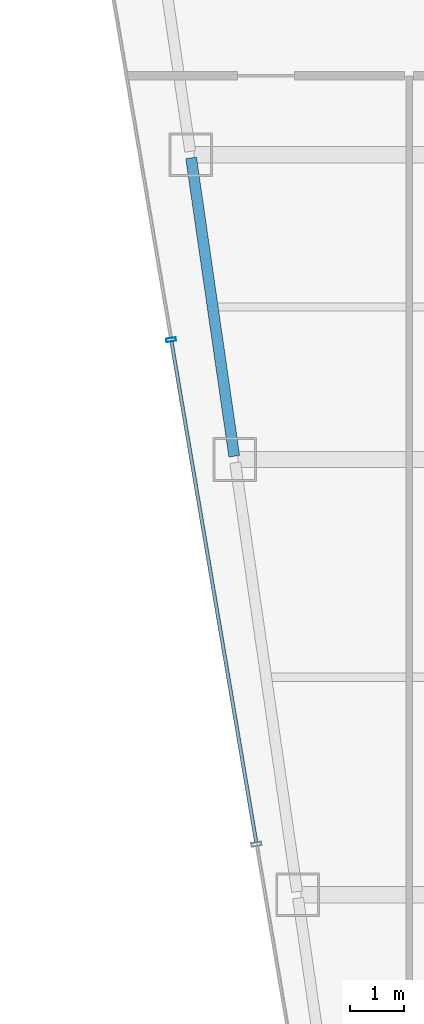
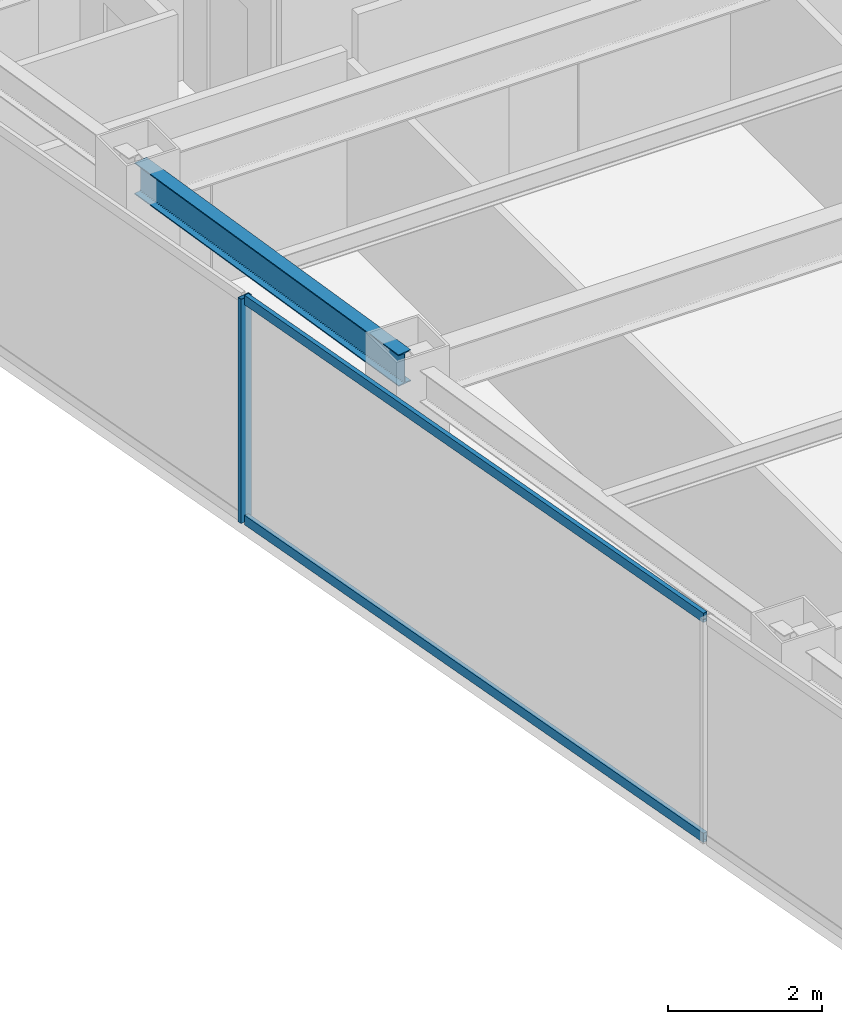
# One storey, part 9 of 36: 3 members, 1 beam, 1 element without a shape of its own.
"""IFC4 building model written with IfcOpenShell, lengths in metres."""

from ifc_helpers import new_model, si_unit, direction, frame, origin, origin_2d, place, context, subcontext, project, spatial, hollow_rectangle, i_section, extrude, material, material_profile, profile_set, type_object, element, aggregate, save


model = new_model("IFC4")

# Units and contexts
model_context = context("Model", 3, precision=1e-05, world=origin(), true_north=direction((0.0, 1.0)))
body_context = subcontext(model_context, "Body", "Model", "MODEL_VIEW")
ifc_project = project(units=[si_unit("LENGTHUNIT", "METRE"), si_unit("AREAUNIT", "SQUARE_METRE"), si_unit("VOLUMEUNIT", "CUBIC_METRE"), si_unit("PLANEANGLEUNIT", "RADIAN"), si_unit("MASSUNIT", "GRAM", prefix="KILO")], contexts=[model_context])

# Site, building, storey
site_placement = place(None, origin())
site = spatial("IfcSite", under=ifc_project, at=site_placement, CompositionType="ELEMENT")
building_placement = place(site_placement, origin())
building = spatial("IfcBuilding", under=site, at=building_placement, Name="Saevonmaru Cultural Tower", CompositionType="ELEMENT")
storey_placement = place(building_placement, frame((0.0, 0.0, 209.39990234375)))
storey = spatial("IfcBuildingStorey", under=building, at=storey_placement, Name="L48", CompositionType="ELEMENT", Elevation=209.39990234375)

# Beam
ifc_material_1 = material(Name="Steel SM355", Category="steel")
ifc_material_profile_1 = material_profile(ifc_material_1, i_section(OverallWidth=0.199951171875, OverallDepth=0.5, WebThickness=0.010009765625, FlangeThickness=0.01611328125, FilletRadius=0.02001953125, at=origin_2d()), Name="H-500x200x10x16")
ifc_profile_set_1 = profile_set([ifc_material_profile_1], Name="Steel SM355")
beam_type = type_object("IfcBeamType", Name="BM-SP-H500", PredefinedType="SPANDREL", material=ifc_profile_set_1)
beam_placement = place(storey_placement, frame((8.308349609375, 32.059326171875, 3.300048828125), z_axis=(-0.142964121327, 0.989727871697, 0.0), x_axis=(-0.989727871697, -0.142964121327, 0.0)))
element("IfcBeam", 1, at=beam_placement, inside=storey, type_object=beam_type, Name="L48 West Splayed Spandrel 3", PredefinedType="SPANDREL", context=body_context, shape_type="SweptSolid", body=[
    extrude(i_section(OverallWidth=0.199951171875, OverallDepth=0.5, WebThickness=0.010009765625, FlangeThickness=0.01611328125, FilletRadius=0.02001953125, at=origin_2d()), origin(), (0.0, 0.0, 1.0), 5.5380859375),
])

# Curtain wall, members
ifc_material_2 = material(Name="Satin Bronze Anodised Aluminium", Category="aluminium")
curtain_wall_type = type_object("IfcCurtainWallType", Name="CW-TYP-B", PredefinedType="NOTDEFINED", material=ifc_material_2)
curtain_wall_placement = place(storey_placement, origin())
curtain_wall = element("IfcCurtainWall", 2, at=curtain_wall_placement, inside=storey, type_object=curtain_wall_type, Name="L48 Unitised Curtain Wall E12", PredefinedType="NOTDEFINED")
ifc_material_profile_2 = material_profile(ifc_material_2, hollow_rectangle(XDim=0.06494140625, YDim=0.179931640625, WallThickness=0.00390625, at=origin_2d()), Name="ALU-MULL-180x65x4")
ifc_profile_set_2 = profile_set([ifc_material_profile_2], Name="Satin Bronze Anodised Aluminium")
member_type_1 = type_object("IfcMemberType", Name="ML-CW-180x65", PredefinedType="MULLION", material=ifc_profile_set_2)
member_1_placement = place(storey_placement, frame((7.14892578125, 34.199951171875, 0.0), z_axis=(0.0, 0.0, 1.0), x_axis=(0.16692169721, -0.985970155228, 0.0)))
member_1 = element("IfcMember", 3, at=member_1_placement, type_object=member_type_1, Name="CW-TW-L48-E12 mullion 3", PredefinedType="MULLION", context=body_context, shape_type="SweptSolid", body=[
    extrude(hollow_rectangle(XDim=0.06494140625, YDim=0.179931640625, WallThickness=0.00390625, at=origin_2d()), origin(), (0.0, 0.0, 1.0), 3.550048828125),
])
ifc_material_profile_3 = material_profile(ifc_material_2, hollow_rectangle(XDim=0.06494140625, YDim=0.14990234375, WallThickness=0.00390625, at=origin_2d()), Name="ALU-TRAN-150x65x4")
ifc_profile_set_3 = profile_set([ifc_material_profile_3], Name="Satin Bronze Anodised Aluminium")
member_type_2 = type_object("IfcMemberType", Name="TR-CW-150x65", PredefinedType="USERDEFINED", material=ifc_profile_set_3)
member_2_placement = place(storey_placement, frame((7.154296875, 34.16796875, 0.03271484375), z_axis=(0.166921263871, -0.985970228591, 0.0), x_axis=(0.985970228591, 0.166921263871, 0.0)))
member_2 = element("IfcMember", 4, at=member_2_placement, type_object=member_type_2, Name="CW-TW-L48-E12 transom 3.1", ObjectType="TRANSOM", PredefinedType="USERDEFINED", context=body_context, shape_type="SweptSolid", body=[
    extrude(hollow_rectangle(XDim=0.06494140625, YDim=0.14990234375, WallThickness=0.00390625, at=origin_2d()), origin(), (0.0, 0.0, 1.0), 9.33740234375),
])
member_3_placement = place(storey_placement, frame((7.154296875, 34.16796875, 3.517578125), z_axis=(0.166921263871, -0.985970228591, 0.0), x_axis=(0.985970228591, 0.166921263871, 0.0)))
member_3 = element("IfcMember", 5, at=member_3_placement, type_object=member_type_2, Name="CW-TW-L48-E12 transom 3.2", ObjectType="TRANSOM", PredefinedType="USERDEFINED", context=body_context, shape_type="SweptSolid", body=[
    extrude(hollow_rectangle(XDim=0.06494140625, YDim=0.14990234375, WallThickness=0.00390625, at=origin_2d()), origin(), (0.0, 0.0, 1.0), 9.33740234375),
])
aggregate(curtain_wall, [member_1, member_2, member_3])

save(model, "model.ifc")
